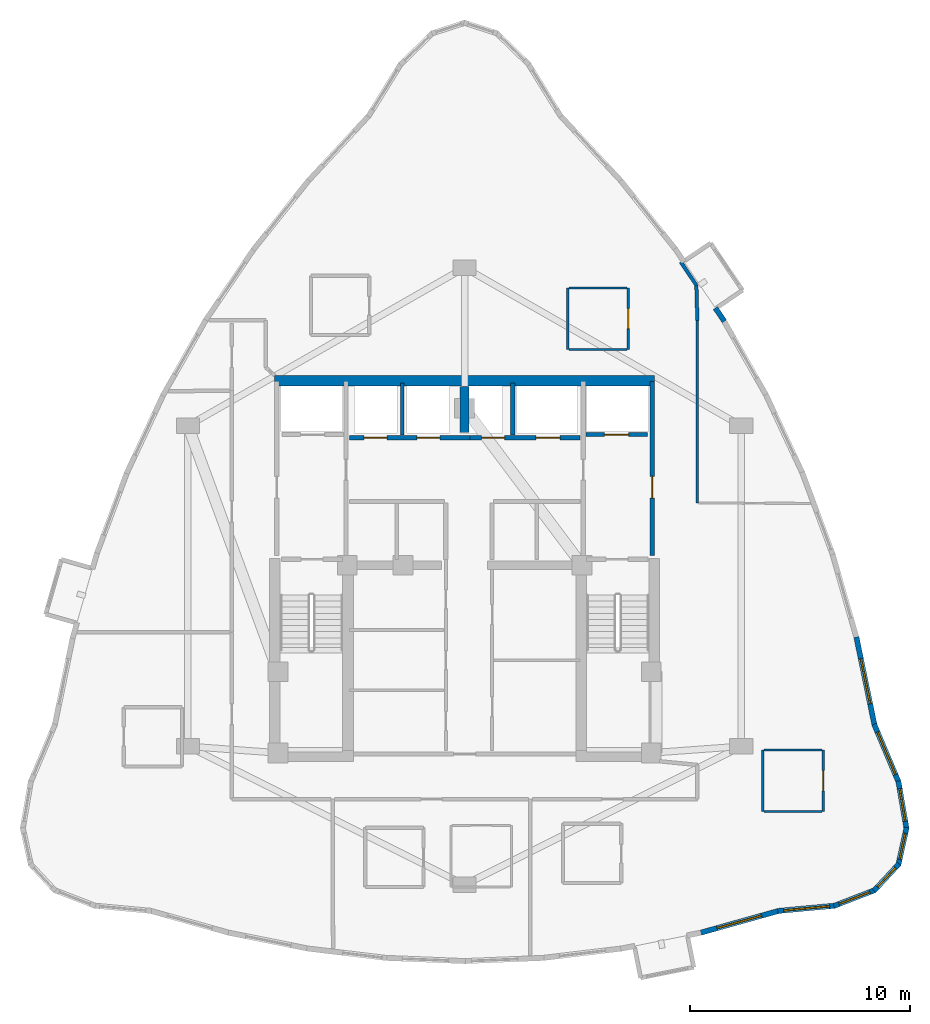
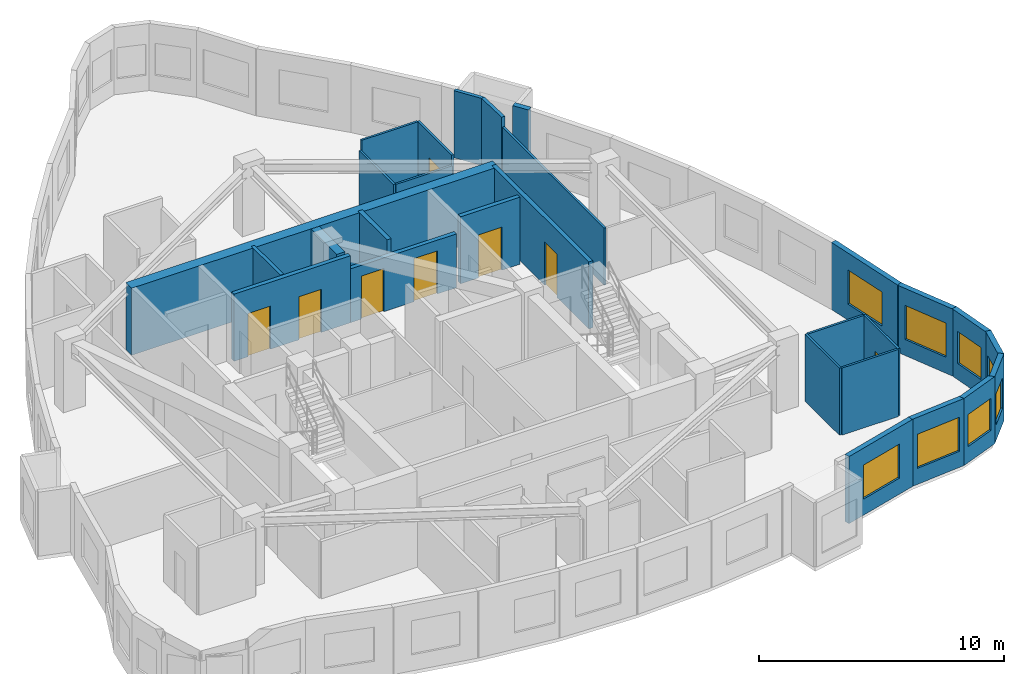
# One storey, part 6 of 9: 28 walls, 8 doors, 8 windows, 16 openings.
"""IFC4 building model written with IfcOpenShell, lengths in metres."""

from ifc_helpers import new_model, si_unit, direction, frame, frame_2d, origin, place, context, subcontext, project, spatial, rectangle, extrude, material, layer, layer_set, type_object, element, fill, save


model = new_model("IFC4")

# Units and contexts
model_context = context("Model", 3, precision=1e-05, world=origin(), true_north=direction((0.0, 1.0)))
body_context = subcontext(model_context, "Body", "Model", "MODEL_VIEW")
ifc_project = project(units=[si_unit("LENGTHUNIT", "METRE"), si_unit("AREAUNIT", "SQUARE_METRE"), si_unit("VOLUMEUNIT", "CUBIC_METRE"), si_unit("PLANEANGLEUNIT", "RADIAN"), si_unit("MASSUNIT", "GRAM", prefix="KILO")], contexts=[model_context])

# Site, building, storey
site_placement = place(None, origin())
site = spatial("IfcSite", under=ifc_project, at=site_placement, CompositionType="ELEMENT")
building_placement = place(site_placement, origin())
building = spatial("IfcBuilding", under=site, at=building_placement, Name="Miruveldt Soraemaru", CompositionType="ELEMENT")
storey_placement = place(building_placement, frame((0.0, 0.0, 194.39990234375)))
storey = spatial("IfcBuildingStorey", under=building, at=storey_placement, Name="L53", CompositionType="ELEMENT", Elevation=194.39990234375)

# Walls
ifc_material_1 = material(Name="Concrete C70/85 (70 MPa)", Category="concrete")
ifc_layer_1 = layer(ifc_material_1, 0.5, Name="Concrete C70/85 (70 MPa)", Category="concrete")
ifc_layer_set_1 = layer_set([ifc_layer_1], Name="Concrete C70/85 (70 MPa)")
wall_type_1 = type_object("IfcWallType", Name="WALL-BW-500", PredefinedType="SHEAR", material=ifc_layer_set_1)
wall_1_placement = place(storey_placement, frame((44.0, 50.10009765625, 0.0), z_axis=(0.0, 0.0, 1.0), x_axis=(0.0, 1.0, 0.0)))
element("IfcWall", 1, at=wall_1_placement, inside=storey, type_object=wall_type_1, Name="L53 Core Buttress Shear Wall BN", PredefinedType="SHEAR", context=body_context, shape_type="SweptSolid", body=[
    extrude(rectangle(XDim=2.099853515625, YDim=0.39990234375, at=frame_2d((1.0498046875, 0.0))), origin(), (0.0, 0.0, 1.0), 3.34521484375),
])
ifc_material_2 = material(Name="Concrete C60/75 (60 MPa)", Category="concrete")
ifc_layer_2 = layer(ifc_material_2, 0.47998046875, Name="Concrete C60/75 (60 MPa)", Category="concrete")
ifc_layer_set_2 = layer_set([ifc_layer_2], Name="Concrete C60/75 (60 MPa)")
wall_type_2 = type_object("IfcWallType", Name="WALL-CW-480", PredefinedType="SHEAR", material=ifc_layer_set_2)
wall_2_placement = place(storey_placement, frame((35.35009765625, 52.449951171875, 0.0), z_axis=(0.0, 0.0, 1.0), x_axis=(1.0, 0.0, 0.0)))
element("IfcWall", 2, at=wall_2_placement, inside=storey, type_object=wall_type_2, Name="L53 Central Core Shear Wall N", PredefinedType="SHEAR", context=body_context, shape_type="SweptSolid", body=[
    extrude(rectangle(XDim=17.2998046875, YDim=0.47998046875, at=frame_2d((8.64990234375, 0.0))), origin(), (0.0, 0.0, 1.0), 3.34521484375),
])

# Wall, opening, window
ifc_material_3 = material(Name="Precast concrete C45/55 (45 MPa)", Category="concrete")
ifc_layer_3 = layer(ifc_material_3, 0.239990234375, Name="Precast concrete C45/55 (45 MPa)", Category="concrete")
ifc_layer_set_3 = layer_set([ifc_layer_3], Name="Precast concrete C45/55 (45 MPa)")
wall_type_3 = type_object("IfcWallType", Name="WALL-EXT-PC240", PredefinedType="SOLIDWALL", material=ifc_layer_set_3)
wall_3_placement = place(storey_placement, frame((54.69189453125, 27.29345703125, 0.0), z_axis=(0.0, 0.0, 1.0), x_axis=(0.962962008879, 0.26963710697, 0.0)))
wall_3 = element("IfcWall", 3, at=wall_3_placement, inside=storey, type_object=wall_type_3, Name="L53 Precast Concrete Facade Wall 28", PredefinedType="SOLIDWALL", context=body_context, shape_type="SweptSolid", body=[
    extrude(rectangle(XDim=3.782958984375, YDim=0.239990234375, at=frame_2d((1.8916015625, 0.0))), origin(), (0.0, 0.0, 1.0), 3.34521484375),
])
opening_1_placement = place(wall_3_placement, frame((0.842041015625, 0.0, 0.800048828125)))
opening_1 = element("IfcOpeningElement", 4, at=opening_1_placement, cuts=wall_3, Name="Opening WN-1", PredefinedType="OPENING", context=body_context, shape_type="SweptSolid", body=[
    extrude(rectangle(XDim=2.10009765625, YDim=1.699951171875, at=frame_2d((1.050048828125, 0.85009765625))), frame((0.0, 0.1298828125, 0.0), z_axis=(0.0, -1.0, 0.0), x_axis=(1.0, 0.0, 0.0)), (0.0, 0.0, 1.0), 0.260009765625),
])
ifc_material_4 = material(Name="Triple low-e insulated glazing", Category="glass")
window_type_1 = type_object("IfcWindowType", Name="WIN-PUNCH-2100x1700", PartitioningType="SINGLE_PANEL", PredefinedType="WINDOW", material=ifc_material_4)
window_1_placement = place(opening_1_placement, origin())
window_1 = element("IfcWindow", 5, at=window_1_placement, inside=storey, type_object=window_type_1, Name="L53 Punched Triple-Glazed Window 28.1", OverallHeight=1.699951171875, OverallWidth=2.10009765625, PartitioningType="SINGLE_PANEL", PredefinedType="WINDOW", context=body_context, shape_type="SweptSolid", body=[
    extrude(rectangle(XDim=2.10009765625, YDim=1.699951171875, at=frame_2d((1.050048828125, 0.85009765625))), frame((0.0, 0.030029296875, 0.0), z_axis=(0.0, -1.0, 0.0), x_axis=(1.0, 0.0, 0.0)), (0.0, 0.0, 1.0), 0.06005859375),
])
fill(opening_1, window_1)

wall_4_placement = place(storey_placement, frame((58.26611328125, 28.30078125, 0.0), z_axis=(0.0, 0.0, 1.0), x_axis=(0.995763539578, 0.091950928475, 0.0)))
wall_4 = element("IfcWall", 6, at=wall_4_placement, inside=storey, type_object=wall_type_3, Name="L53 Precast Concrete Facade Wall 29", PredefinedType="SOLIDWALL", context=body_context, shape_type="SweptSolid", body=[
    extrude(rectangle(XDim=2.628662109375, YDim=0.239990234375, at=frame_2d((1.314453125, 0.0))), origin(), (0.0, 0.0, 1.0), 3.34521484375),
])
opening_2_placement = place(wall_4_placement, frame((0.263916015625, 0.0, 0.800048828125)))
opening_2 = element("IfcOpeningElement", 7, at=opening_2_placement, cuts=wall_4, Name="Opening WN-1", PredefinedType="OPENING", context=body_context, shape_type="SweptSolid", body=[
    extrude(rectangle(XDim=2.10009765625, YDim=1.699951171875, at=frame_2d((1.050048828125, 0.85009765625))), frame((0.0, 0.1298828125, 0.0), z_axis=(0.0, -1.0, 0.0), x_axis=(1.0, 0.0, 0.0)), (0.0, 0.0, 1.0), 0.260009765625),
])
window_2_placement = place(opening_2_placement, origin())
window_2 = element("IfcWindow", 8, at=window_2_placement, inside=storey, type_object=window_type_1, Name="L53 Punched Triple-Glazed Window 29.1", OverallHeight=1.699951171875, OverallWidth=2.10009765625, PartitioningType="SINGLE_PANEL", PredefinedType="WINDOW", context=body_context, shape_type="SweptSolid", body=[
    extrude(rectangle(XDim=2.10009765625, YDim=1.699951171875, at=frame_2d((1.050048828125, 0.85009765625))), frame((0.0, 0.030029296875, 0.0), z_axis=(0.0, -1.0, 0.0), x_axis=(1.0, 0.0, 0.0)), (0.0, 0.0, 1.0), 0.06005859375),
])
fill(opening_2, window_2)

wall_5_placement = place(storey_placement, frame((60.816162109375, 28.526611328125, 0.0), z_axis=(0.0, 0.0, 1.0), x_axis=(0.932274067203, 0.361752765878, 0.0)))
wall_5 = element("IfcWall", 9, at=wall_5_placement, inside=storey, type_object=wall_type_3, Name="L53 Precast Concrete Facade Wall 30", PredefinedType="SOLIDWALL", context=body_context, shape_type="SweptSolid", body=[
    extrude(rectangle(XDim=2.02197265625, YDim=0.239990234375, at=frame_2d((1.010986328125, 0.0))), origin(), (0.0, 0.0, 1.0), 3.34521484375),
])
opening_3_placement = place(wall_5_placement, frame((0.260986328125, 0.0, 0.800048828125)))
opening_3 = element("IfcOpeningElement", 10, at=opening_3_placement, cuts=wall_5, Name="Opening WN-3", PredefinedType="OPENING", context=body_context, shape_type="SweptSolid", body=[
    extrude(rectangle(XDim=1.5, YDim=1.60009765625, at=frame_2d((0.75, 0.800048828125))), frame((0.0, 0.1298828125, 0.0), z_axis=(0.0, -1.0, 0.0), x_axis=(1.0, 0.0, 0.0)), (0.0, 0.0, 1.0), 0.260009765625),
])
window_type_2 = type_object("IfcWindowType", Name="WIN-PUNCH-1500x1600", PartitioningType="SINGLE_PANEL", PredefinedType="WINDOW", material=ifc_material_4)
window_3_placement = place(opening_3_placement, origin())
window_3 = element("IfcWindow", 11, at=window_3_placement, inside=storey, type_object=window_type_2, Name="L53 Punched Triple-Glazed Window 30.1", OverallHeight=1.60009765625, OverallWidth=1.5, PartitioningType="SINGLE_PANEL", PredefinedType="WINDOW", context=body_context, shape_type="SweptSolid", body=[
    extrude(rectangle(XDim=1.5, YDim=1.60009765625, at=frame_2d((0.75, 0.800048828125))), frame((0.0, 0.030029296875, 0.0), z_axis=(0.0, -1.0, 0.0), x_axis=(1.0, 0.0, 0.0)), (0.0, 0.0, 1.0), 0.06005859375),
])
fill(opening_3, window_3)

wall_6_placement = place(storey_placement, frame((62.644775390625, 29.2197265625, 0.0), z_axis=(0.0, 0.0, 1.0), x_axis=(0.680087707161, 0.73313075953, 0.0)))
wall_6 = element("IfcWall", 12, at=wall_6_placement, inside=storey, type_object=wall_type_3, Name="L53 Precast Concrete Facade Wall 31", PredefinedType="SOLIDWALL", context=body_context, shape_type="SweptSolid", body=[
    extrude(rectangle(XDim=1.67529296875, YDim=0.239990234375, at=frame_2d((0.837646484375, 0.0))), origin(), (0.0, 0.0, 1.0), 3.34521484375),
])
opening_4_placement = place(wall_6_placement, frame((0.238037109375, 0.0, 0.780029296875)))
opening_4 = element("IfcOpeningElement", 13, at=opening_4_placement, cuts=wall_6, Name="Opening WN-4", PredefinedType="OPENING", context=body_context, shape_type="SweptSolid", body=[
    extrude(rectangle(XDim=1.199951171875, YDim=1.550048828125, at=frame_2d((0.60009765625, 0.77490234375))), frame((0.0, 0.1298828125, 0.0), z_axis=(0.0, -1.0, 0.0), x_axis=(1.0, 0.0, 0.0)), (0.0, 0.0, 1.0), 0.260009765625),
])
window_type_3 = type_object("IfcWindowType", Name="WIN-PUNCH-1200x1550", PartitioningType="SINGLE_PANEL", PredefinedType="WINDOW", material=ifc_material_4)
window_4_placement = place(opening_4_placement, origin())
window_4 = element("IfcWindow", 14, at=window_4_placement, inside=storey, type_object=window_type_3, Name="L53 Punched Triple-Glazed Window 31.1", OverallHeight=1.550048828125, OverallWidth=1.199951171875, PartitioningType="SINGLE_PANEL", PredefinedType="WINDOW", context=body_context, shape_type="SweptSolid", body=[
    extrude(rectangle(XDim=1.199951171875, YDim=1.550048828125, at=frame_2d((0.60009765625, 0.77490234375))), frame((0.0, 0.030029296875, 0.0), z_axis=(0.0, -1.0, 0.0), x_axis=(1.0, 0.0, 0.0)), (0.0, 0.0, 1.0), 0.06005859375),
])
fill(opening_4, window_4)

wall_7_placement = place(storey_placement, frame((63.7529296875, 30.387939453125, 0.0), z_axis=(0.0, 0.0, 1.0), x_axis=(0.215738874415, 0.976451093535, 0.0)))
wall_7 = element("IfcWall", 15, at=wall_7_placement, inside=storey, type_object=wall_type_3, Name="L53 Precast Concrete Facade Wall 32", PredefinedType="SOLIDWALL", context=body_context, shape_type="SweptSolid", body=[
    extrude(rectangle(XDim=1.757568359375, YDim=0.239990234375, at=frame_2d((0.87890625, 0.0))), origin(), (0.0, 0.0, 1.0), 3.34521484375),
])
opening_5_placement = place(wall_7_placement, frame((0.278076171875, 0.0, 0.780029296875)))
opening_5 = element("IfcOpeningElement", 16, at=opening_5_placement, cuts=wall_7, Name="Opening WN-4", PredefinedType="OPENING", context=body_context, shape_type="SweptSolid", body=[
    extrude(rectangle(XDim=1.199951171875, YDim=1.550048828125, at=frame_2d((0.60009765625, 0.77490234375))), frame((0.0, 0.1298828125, 0.0), z_axis=(0.0, -1.0, 0.0), x_axis=(1.0, 0.0, 0.0)), (0.0, 0.0, 1.0), 0.260009765625),
])
window_5_placement = place(opening_5_placement, origin())
window_5 = element("IfcWindow", 17, at=window_5_placement, inside=storey, type_object=window_type_3, Name="L53 Punched Triple-Glazed Window 32.1", OverallHeight=1.550048828125, OverallWidth=1.199951171875, PartitioningType="SINGLE_PANEL", PredefinedType="WINDOW", context=body_context, shape_type="SweptSolid", body=[
    extrude(rectangle(XDim=1.199951171875, YDim=1.550048828125, at=frame_2d((0.60009765625, 0.77490234375))), frame((0.0, 0.030029296875, 0.0), z_axis=(0.0, -1.0, 0.0), x_axis=(1.0, 0.0, 0.0)), (0.0, 0.0, 1.0), 0.06005859375),
])
fill(opening_5, window_5)

wall_8_placement = place(storey_placement, frame((64.13037109375, 32.03515625, 0.0), z_axis=(0.0, 0.0, 1.0), x_axis=(-0.169302728302, 0.985564095424, 0.0)))
wall_8 = element("IfcWall", 18, at=wall_8_placement, inside=storey, type_object=wall_type_3, Name="L53 Precast Concrete Facade Wall 33", PredefinedType="SOLIDWALL", context=body_context, shape_type="SweptSolid", body=[
    extrude(rectangle(XDim=2.21923828125, YDim=0.239990234375, at=frame_2d((1.109619140625, 0.0))), origin(), (0.0, 0.0, 1.0), 3.34521484375),
])
opening_6_placement = place(wall_8_placement, frame((0.360107421875, 0.0, 0.800048828125)))
opening_6 = element("IfcOpeningElement", 19, at=opening_6_placement, cuts=wall_8, Name="Opening WN-3", PredefinedType="OPENING", context=body_context, shape_type="SweptSolid", body=[
    extrude(rectangle(XDim=1.5, YDim=1.60009765625, at=frame_2d((0.75, 0.800048828125))), frame((0.0, 0.1298828125, 0.0), z_axis=(0.0, -1.0, 0.0), x_axis=(1.0, 0.0, 0.0)), (0.0, 0.0, 1.0), 0.260009765625),
])
window_6_placement = place(opening_6_placement, origin())
window_6 = element("IfcWindow", 20, at=window_6_placement, inside=storey, type_object=window_type_2, Name="L53 Punched Triple-Glazed Window 33.1", OverallHeight=1.60009765625, OverallWidth=1.5, PartitioningType="SINGLE_PANEL", PredefinedType="WINDOW", context=body_context, shape_type="SweptSolid", body=[
    extrude(rectangle(XDim=1.5, YDim=1.60009765625, at=frame_2d((0.75, 0.800048828125))), frame((0.0, 0.030029296875, 0.0), z_axis=(0.0, -1.0, 0.0), x_axis=(1.0, 0.0, 0.0)), (0.0, 0.0, 1.0), 0.06005859375),
])
fill(opening_6, window_6)

wall_9_placement = place(storey_placement, frame((63.774169921875, 34.15576171875, 0.0), z_axis=(0.0, 0.0, 1.0), x_axis=(-0.388633031519, 0.921392623593, 0.0)))
wall_9 = element("IfcWall", 21, at=wall_9_placement, inside=storey, type_object=wall_type_3, Name="L53 Precast Concrete Facade Wall 34", PredefinedType="SOLIDWALL", context=body_context, shape_type="SweptSolid", body=[
    extrude(rectangle(XDim=2.879638671875, YDim=0.239990234375, at=frame_2d((1.43994140625, 0.0))), origin(), (0.0, 0.0, 1.0), 3.34521484375),
])
opening_7_placement = place(wall_9_placement, frame((0.389892578125, 0.0, 0.800048828125)))
opening_7 = element("IfcOpeningElement", 22, at=opening_7_placement, cuts=wall_9, Name="Opening WN-1", PredefinedType="OPENING", context=body_context, shape_type="SweptSolid", body=[
    extrude(rectangle(XDim=2.10009765625, YDim=1.699951171875, at=frame_2d((1.050048828125, 0.85009765625))), frame((0.0, 0.1298828125, 0.0), z_axis=(0.0, -1.0, 0.0), x_axis=(1.0, 0.0, 0.0)), (0.0, 0.0, 1.0), 0.260009765625),
])
window_7_placement = place(opening_7_placement, origin())
window_7 = element("IfcWindow", 23, at=window_7_placement, inside=storey, type_object=window_type_1, Name="L53 Punched Triple-Glazed Window 34.1", OverallHeight=1.699951171875, OverallWidth=2.10009765625, PartitioningType="SINGLE_PANEL", PredefinedType="WINDOW", context=body_context, shape_type="SweptSolid", body=[
    extrude(rectangle(XDim=2.10009765625, YDim=1.699951171875, at=frame_2d((1.050048828125, 0.85009765625))), frame((0.0, 0.030029296875, 0.0), z_axis=(0.0, -1.0, 0.0), x_axis=(1.0, 0.0, 0.0)), (0.0, 0.0, 1.0), 0.06005859375),
])
fill(opening_7, window_7)

wall_10_placement = place(storey_placement, frame((62.67578125, 36.742431640625, 0.0), z_axis=(0.0, 0.0, 1.0), x_axis=(-0.201569354934, 0.979474244251, 0.0)))
wall_10 = element("IfcWall", 24, at=wall_10_placement, inside=storey, type_object=wall_type_3, Name="L53 Precast Concrete Facade Wall 35", PredefinedType="SOLIDWALL", context=body_context, shape_type="SweptSolid", body=[
    extrude(rectangle(XDim=4.121826171875, YDim=0.239990234375, at=frame_2d((2.06103515625, 0.0))), origin(), (0.0, 0.0, 1.0), 3.34521484375),
])
opening_8_placement = place(wall_10_placement, frame((1.010986328125, 0.0, 0.800048828125)))
opening_8 = element("IfcOpeningElement", 25, at=opening_8_placement, cuts=wall_10, Name="Opening WN-1", PredefinedType="OPENING", context=body_context, shape_type="SweptSolid", body=[
    extrude(rectangle(XDim=2.10009765625, YDim=1.699951171875, at=frame_2d((1.050048828125, 0.85009765625))), frame((0.0, 0.1298828125, 0.0), z_axis=(0.0, -1.0, 0.0), x_axis=(1.0, 0.0, 0.0)), (0.0, 0.0, 1.0), 0.260009765625),
])
window_8_placement = place(opening_8_placement, origin())
window_8 = element("IfcWindow", 26, at=window_8_placement, inside=storey, type_object=window_type_1, Name="L53 Punched Triple-Glazed Window 35.1", OverallHeight=1.699951171875, OverallWidth=2.10009765625, PartitioningType="SINGLE_PANEL", PredefinedType="WINDOW", context=body_context, shape_type="SweptSolid", body=[
    extrude(rectangle(XDim=2.10009765625, YDim=1.699951171875, at=frame_2d((1.050048828125, 0.85009765625))), frame((0.0, 0.030029296875, 0.0), z_axis=(0.0, -1.0, 0.0), x_axis=(1.0, 0.0, 0.0)), (0.0, 0.0, 1.0), 0.06005859375),
])
fill(opening_8, window_8)

# Wall
wall_11_placement = place(storey_placement, frame((55.830810546875, 55.159423828125, 0.0), z_axis=(0.0, 0.0, 1.0), x_axis=(-0.560862943877, 0.827908665365, 0.0)))
element("IfcWall", 27, at=wall_11_placement, inside=storey, type_object=wall_type_3, Name="L53 Precast Pier Wall 40A", PredefinedType="SOLIDWALL", context=body_context, shape_type="SweptSolid", body=[
    extrude(rectangle(XDim=0.7294921875, YDim=0.239990234375, at=frame_2d((0.36474609375, 0.0))), origin(), (0.0, 0.0, 1.0), 3.34521484375),
])

# Wall, opening, door
ifc_material_5 = material(Name="Gypsum plasterboard lining", Category="gypsum")
ifc_layer_4 = layer(ifc_material_5, 0.10009765625, Name="Gypsum plasterboard lining", Category="gypsum")
ifc_layer_set_4 = layer_set([ifc_layer_4], Name="Gypsum plasterboard lining")
wall_type_4 = type_object("IfcWallType", Name="WALL-INT-P100", PredefinedType="PARTITIONING", material=ifc_layer_set_4)
wall_12_placement = place(storey_placement, frame((51.451904296875, 53.8798828125, 0.0), z_axis=(0.0, 0.0, 1.0), x_axis=(0.0, 1.0, 0.0)))
wall_12 = element("IfcWall", 28, at=wall_12_placement, inside=storey, type_object=wall_type_4, Name="L53 Partition Wall 15", PredefinedType="PARTITIONING", context=body_context, shape_type="SweptSolid", body=[
    extrude(rectangle(XDim=2.800048828125, YDim=0.10009765625, at=frame_2d((1.39990234375, 0.0))), origin(), (0.0, 0.0, 1.0), 3.34521484375),
])
opening_9_placement = place(wall_12_placement, frame((0.93994140625, 0.0, 0.0)))
opening_9 = element("IfcOpeningElement", 29, at=opening_9_placement, cuts=wall_12, Name="Opening D3A", PredefinedType="OPENING", context=body_context, shape_type="SweptSolid", body=[
    extrude(rectangle(XDim=0.919921875, YDim=2.10009765625, at=frame_2d((0.4599609375, 1.050048828125))), frame((0.0, 0.06005859375, 0.0), z_axis=(0.0, -1.0, 0.0), x_axis=(1.0, 0.0, 0.0)), (0.0, 0.0, 1.0), 0.1201171875),
])
ifc_material_6 = material(Name="Anodised aluminium EN AW-6063 T6", Category="aluminium")
door_type_1 = type_object("IfcDoorType", Name="DOOR-INT-920", OperationType="NOTDEFINED", PredefinedType="DOOR", material=ifc_material_6)
door_1_placement = place(opening_9_placement, origin())
door_1 = element("IfcDoor", 30, at=door_1_placement, inside=storey, type_object=door_type_1, Name="L53 Unit CL01 KIT Door", OperationType="SINGLE_SWING_RIGHT", OverallHeight=2.10009765625, OverallWidth=0.919921875, PredefinedType="DOOR", context=body_context, shape_type="SweptSolid", body=[
    extrude(rectangle(XDim=0.919921875, YDim=2.10009765625, at=frame_2d((0.4599609375, 1.050048828125))), frame((0.0, 0.02490234375, 0.0), z_axis=(0.0, -1.0, 0.0), x_axis=(1.0, 0.0, 0.0)), (0.0, 0.0, 1.0), 0.050048828125),
])
fill(opening_9, door_1)

wall_13_placement = place(storey_placement, frame((60.330078125, 32.8291015625, 0.0), z_axis=(0.0, 0.0, 1.0), x_axis=(0.0, 1.0, 0.0)))
wall_13 = element("IfcWall", 31, at=wall_13_placement, inside=storey, type_object=wall_type_4, Name="L53 Partition Wall 40", PredefinedType="PARTITIONING", context=body_context, shape_type="SweptSolid", body=[
    extrude(rectangle(XDim=2.7998046875, YDim=0.10009765625, at=frame_2d((1.39990234375, 0.0))), origin(), (0.0, 0.0, 1.0), 3.34521484375),
])
opening_10_placement = place(wall_13_placement, frame((0.93994140625, 0.0, 0.0)))
opening_10 = element("IfcOpeningElement", 32, at=opening_10_placement, cuts=wall_13, Name="Opening D3A", PredefinedType="OPENING", context=body_context, shape_type="SweptSolid", body=[
    extrude(rectangle(XDim=0.919921875, YDim=2.10009765625, at=frame_2d((0.4599609375, 1.050048828125))), frame((0.0, 0.06005859375, 0.0), z_axis=(0.0, -1.0, 0.0), x_axis=(1.0, 0.0, 0.0)), (0.0, 0.0, 1.0), 0.1201171875),
])
door_2_placement = place(opening_10_placement, origin())
door_2 = element("IfcDoor", 33, at=door_2_placement, inside=storey, type_object=door_type_1, Name="L53 Unit 5306 KIT Door", OperationType="SINGLE_SWING_LEFT", OverallHeight=2.10009765625, OverallWidth=0.919921875, PredefinedType="DOOR", context=body_context, shape_type="SweptSolid", body=[
    extrude(rectangle(XDim=0.919921875, YDim=2.10009765625, at=frame_2d((0.4599609375, 1.050048828125))), frame((0.0, 0.02490234375, 0.0), z_axis=(0.0, -1.0, 0.0), x_axis=(1.0, 0.0, 0.0)), (0.0, 0.0, 1.0), 0.050048828125),
])
fill(opening_10, door_2)

# Walls
wall_14_placement = place(storey_placement, frame((54.60009765625, 46.883056640625, 0.0), z_axis=(0.0, 0.0, 1.0), x_axis=(0.0, 1.0, 0.0)))
element("IfcWall", 34, at=wall_14_placement, inside=storey, type_object=wall_type_4, Name="L53 Partition Wall 45", PredefinedType="PARTITIONING", context=body_context, shape_type="SweptSolid", body=[
    extrude(rectangle(XDim=8.31689453125, YDim=0.10009765625, at=frame_2d((4.158447265625, 0.0))), origin(), (0.0, 0.0, 1.0), 2.84521484375),
])
wall_15_placement = place(storey_placement, frame((48.701904296875, 56.679931640625, 0.0), z_axis=(0.0, 0.0, 1.0), x_axis=(0.0, -1.0, 0.0)))
element("IfcWall", 35, at=wall_15_placement, inside=storey, type_object=wall_type_4, Name="L53 Partition Wall 17", PredefinedType="PARTITIONING", context=body_context, shape_type="SweptSolid", body=[
    extrude(rectangle(XDim=2.800048828125, YDim=0.10009765625, at=frame_2d((1.39990234375, 0.0))), origin(), (0.0, 0.0, 1.0), 2.84521484375),
])
wall_16_placement = place(storey_placement, frame((57.580078125, 35.62890625, 0.0), z_axis=(0.0, 0.0, 1.0), x_axis=(0.0, -1.0, 0.0)))
element("IfcWall", 36, at=wall_16_placement, inside=storey, type_object=wall_type_4, Name="L53 Partition Wall 42", PredefinedType="PARTITIONING", context=body_context, shape_type="SweptSolid", body=[
    extrude(rectangle(XDim=2.7998046875, YDim=0.10009765625, at=frame_2d((1.39990234375, 0.0))), origin(), (0.0, 0.0, 1.0), 3.34521484375),
])
wall_17_placement = place(storey_placement, frame((51.402099609375, 56.679931640625, 0.0), z_axis=(0.0, 0.0, 1.0), x_axis=(-1.0, 0.0, 0.0)))
element("IfcWall", 37, at=wall_17_placement, inside=storey, type_object=wall_type_4, Name="L53 Partition Wall 16", PredefinedType="PARTITIONING", context=body_context, shape_type="SweptSolid", body=[
    extrude(rectangle(XDim=2.650146484375, YDim=0.10009765625, at=frame_2d((1.3251953125, 0.0))), origin(), (0.0, 0.0, 1.0), 3.34521484375),
])
wall_18_placement = place(storey_placement, frame((48.751953125, 53.8798828125, 0.0), z_axis=(0.0, 0.0, 1.0), x_axis=(1.0, 0.0, 0.0)))
element("IfcWall", 38, at=wall_18_placement, inside=storey, type_object=wall_type_4, Name="L53 Partition Wall 18", PredefinedType="PARTITIONING", context=body_context, shape_type="SweptSolid", body=[
    extrude(rectangle(XDim=2.650146484375, YDim=0.10009765625, at=frame_2d((1.3251953125, 0.0))), origin(), (0.0, 0.0, 1.0), 2.84521484375),
])
for number, where, z_axis, x_axis, name in (
    (39, (60.280029296875, 35.62890625, 0.0), (0.0, 0.0, 1.0), (-1.0, 0.0, 0.0), "L53 Partition Wall 41"),
    (40, (57.6298828125, 32.8291015625, 0.0), (0.0, 0.0, 1.0), (1.0, 0.0, 0.0), "L53 Partition Wall 43"),
):
    element("IfcWall", number, at=place(storey_placement, frame(where, z_axis=z_axis, x_axis=x_axis)), inside=storey, type_object=wall_type_4, Name=name, PredefinedType="PARTITIONING", context=body_context, shape_type="SweptSolid", body=[
        extrude(rectangle(XDim=2.650146484375, YDim=0.10009765625, at=frame_2d((1.3251953125, 0.0))), origin(), (0.0, 0.0, 1.0), 3.34521484375),
    ])
ifc_material_7 = material(Name="Concrete C40/50 (40 MPa)", Category="concrete")
ifc_layer_5 = layer(ifc_material_7, 0.159912109375, Name="Concrete C40/50 (40 MPa)", Category="concrete")
ifc_layer_set_5 = layer_set([ifc_layer_5], Name="Concrete C40/50 (40 MPa)")
wall_type_5 = type_object("IfcWallType", Name="WALL-INT-RC160", PredefinedType="SOLIDWALL", material=ifc_layer_set_5)
wall_19_placement = place(storey_placement, frame((41.14990234375, 49.97998046875, 0.0), z_axis=(0.0, 0.0, 1.0), x_axis=(0.0, 1.0, 0.0)))
element("IfcWall", 41, at=wall_19_placement, inside=storey, type_object=wall_type_5, Name="L53 Core Compartment Wall PLH-DIV1", PredefinedType="SOLIDWALL", context=body_context, shape_type="SweptSolid", body=[
    extrude(rectangle(XDim=2.3701171875, YDim=0.159912109375, at=frame_2d((1.18505859375, 0.0))), origin(), (0.0, 0.0, 1.0), 3.34521484375),
])
wall_20_placement = place(storey_placement, frame((54.60009765625, 55.199951171875, 0.0), z_axis=(0.0, 0.0, 1.0), x_axis=(-0.027606197225, 0.99961887631, 0.0)))
element("IfcWall", 42, at=wall_20_placement, inside=storey, type_object=wall_type_5, Name="L53 Partition Wall 20", PredefinedType="SOLIDWALL", context=body_context, shape_type="SweptSolid", body=[
    extrude(rectangle(XDim=1.6005859375, YDim=0.159912109375, at=frame_2d((0.80029296875, 0.0))), origin(), (0.0, 0.0, 1.0), 3.34521484375),
])
wall_21_placement = place(storey_placement, frame((54.555908203125, 56.800048828125, 0.0), z_axis=(0.0, 0.0, 1.0), x_axis=(-0.55606787535, 0.831136882832, 0.0)))
element("IfcWall", 43, at=wall_21_placement, inside=storey, type_object=wall_type_5, Name="L53 Partition Closure Return 2", PredefinedType="SOLIDWALL", context=body_context, shape_type="SweptSolid", body=[
    extrude(rectangle(XDim=1.2763671875, YDim=0.159912109375, at=frame_2d((0.63818359375, 0.0))), origin(), (0.0, 0.0, 1.0), 3.34521484375),
])

# Wall, opening, door
ifc_layer_6 = layer(ifc_material_7, 0.199951171875, Name="Concrete C40/50 (40 MPa)", Category="concrete")
ifc_layer_set_6 = layer_set([ifc_layer_6], Name="Concrete C40/50 (40 MPa)")
wall_type_6 = type_object("IfcWallType", Name="WALL-INT-RC200", PredefinedType="SOLIDWALL", material=ifc_layer_set_6)
wall_22_placement = place(storey_placement, frame((52.550048828125, 44.5, 0.0), z_axis=(0.0, 0.0, 1.0), x_axis=(0.0, 1.0, 0.0)))
wall_22 = element("IfcWall", 44, at=wall_22_placement, inside=storey, type_object=wall_type_6, Name="L53 Core Compartment Wall FFE-OUT", PredefinedType="SOLIDWALL", context=body_context, shape_type="SweptSolid", body=[
    extrude(rectangle(XDim=7.919921875, YDim=0.199951171875, at=frame_2d((3.9599609375, 0.0))), origin(), (0.0, 0.0, 1.0), 3.34521484375),
])
opening_11_placement = place(wall_22_placement, frame((2.60009765625, 0.0, 0.0)))
opening_11 = element("IfcOpeningElement", 45, at=opening_11_placement, cuts=wall_22, Name="Opening FD1", PredefinedType="OPENING", context=body_context, shape_type="SweptSolid", body=[
    extrude(rectangle(XDim=1.0, YDim=2.14990234375, at=frame_2d((0.5, 1.074951171875))), frame((0.0, 0.10986328125, 0.0), z_axis=(0.0, -1.0, 0.0), x_axis=(1.0, 0.0, 0.0)), (0.0, 0.0, 1.0), 0.219970703125),
])
door_type_2 = type_object("IfcDoorType", Name="DOOR-FD1-1000", OperationType="NOTDEFINED", PredefinedType="DOOR", material=ifc_material_6)
door_3_placement = place(opening_11_placement, frame((1.0, 0.0, 0.0), z_axis=(0.0, 0.0, 1.0), x_axis=(-1.0, 0.0, 0.0)))
door_3 = element("IfcDoor", 46, at=door_3_placement, inside=storey, type_object=door_type_2, Name="L53 East Firefighting Lobby Exit Door", OperationType="SINGLE_SWING_RIGHT", OverallHeight=2.14990234375, OverallWidth=1.0, PredefinedType="DOOR", context=body_context, shape_type="SweptSolid", body=[
    extrude(rectangle(XDim=1.0, YDim=2.14990234375, at=frame_2d((0.5, 1.074951171875))), frame((0.0, 0.02490234375, 0.0), z_axis=(0.0, -1.0, 0.0), x_axis=(1.0, 0.0, 0.0)), (0.0, 0.0, 1.0), 0.050048828125),
])
fill(opening_11, door_3)

# Wall, openings, doors
wall_23_placement = place(storey_placement, frame((38.75, 49.85009765625, 0.0), z_axis=(0.0, 0.0, 1.0), x_axis=(1.0, 0.0, 0.0)))
wall_23 = element("IfcWall", 47, at=wall_23_placement, inside=storey, type_object=wall_type_6, Name="L53 Core Compartment Wall ROWA-SW", PredefinedType="SOLIDWALL", context=body_context, shape_type="SweptSolid", body=[
    extrude(rectangle(XDim=5.5, YDim=0.199951171875, at=frame_2d((2.75, 0.0))), origin(), (0.0, 0.0, 1.0), 3.34521484375),
])
opening_12_placement = place(wall_23_placement, frame((0.675048828125, 0.0, 0.0)))
opening_12 = element("IfcOpeningElement", 48, at=opening_12_placement, cuts=wall_23, Name="Opening LD1", PredefinedType="OPENING", context=body_context, shape_type="SweptSolid", body=[
    extrude(rectangle(XDim=1.050048828125, YDim=2.14990234375, at=frame_2d((0.52490234375, 1.074951171875))), frame((0.0, 0.10986328125, 0.0), z_axis=(0.0, -1.0, 0.0), x_axis=(1.0, 0.0, 0.0)), (0.0, 0.0, 1.0), 0.219970703125),
])
opening_13_placement = place(wall_23_placement, frame((3.074951171875, 0.0, 0.0)))
opening_13 = element("IfcOpeningElement", 49, at=opening_13_placement, cuts=wall_23, Name="Opening LD1", PredefinedType="OPENING", context=body_context, shape_type="SweptSolid", body=[
    extrude(rectangle(XDim=1.050048828125, YDim=2.14990234375, at=frame_2d((0.52490234375, 1.074951171875))), frame((0.0, 0.10986328125, 0.0), z_axis=(0.0, -1.0, 0.0), x_axis=(1.0, 0.0, 0.0)), (0.0, 0.0, 1.0), 0.219970703125),
])
door_type_3 = type_object("IfcDoorType", Name="DOOR-LD1-1050", OperationType="SLIDING_TO_LEFT", PredefinedType="DOOR", material=ifc_material_6)
door_4_placement = place(opening_12_placement, origin())
door_4 = element("IfcDoor", 50, at=door_4_placement, inside=storey, type_object=door_type_3, Name="L53 PL-H1 Landing Door", OperationType="SLIDING_TO_LEFT", OverallHeight=2.14990234375, OverallWidth=1.050048828125, PredefinedType="DOOR", context=body_context, shape_type="SweptSolid", body=[
    extrude(rectangle(XDim=1.050048828125, YDim=2.14990234375, at=frame_2d((0.52490234375, 1.074951171875))), frame((0.0, 0.02490234375, 0.0), z_axis=(0.0, -1.0, 0.0), x_axis=(1.0, 0.0, 0.0)), (0.0, 0.0, 1.0), 0.050048828125),
])
fill(opening_12, door_4)
door_5_placement = place(opening_13_placement, origin())
door_5 = element("IfcDoor", 51, at=door_5_placement, inside=storey, type_object=door_type_3, Name="L53 PL-H2 Landing Door", OperationType="SLIDING_TO_LEFT", OverallHeight=2.14990234375, OverallWidth=1.050048828125, PredefinedType="DOOR", context=body_context, shape_type="SweptSolid", body=[
    extrude(rectangle(XDim=1.050048828125, YDim=2.14990234375, at=frame_2d((0.52490234375, 1.074951171875))), frame((0.0, 0.02490234375, 0.0), z_axis=(0.0, -1.0, 0.0), x_axis=(1.0, 0.0, 0.0)), (0.0, 0.0, 1.0), 0.050048828125),
])
fill(opening_13, door_5)

wall_24_placement = place(storey_placement, frame((44.25, 49.85009765625, 0.0), z_axis=(0.0, 0.0, 1.0), x_axis=(1.0, 0.0, 0.0)))
wall_24 = element("IfcWall", 52, at=wall_24_placement, inside=storey, type_object=wall_type_6, Name="L53 Core Compartment Wall ROWA-SE", PredefinedType="SOLIDWALL", context=body_context, shape_type="SweptSolid", body=[
    extrude(rectangle(XDim=5.0, YDim=0.199951171875, at=frame_2d((2.5, 0.0))), origin(), (0.0, 0.0, 1.0), 2.68310546875),
])
opening_14_placement = place(wall_24_placement, frame((0.52490234375, 0.0, 0.0)))
opening_14 = element("IfcOpeningElement", 53, at=opening_14_placement, cuts=wall_24, Name="Opening LD1", PredefinedType="OPENING", context=body_context, shape_type="SweptSolid", body=[
    extrude(rectangle(XDim=1.050048828125, YDim=2.14990234375, at=frame_2d((0.52490234375, 1.074951171875))), frame((0.0, 0.10986328125, 0.0), z_axis=(0.0, -1.0, 0.0), x_axis=(1.0, 0.0, 0.0)), (0.0, 0.0, 1.0), 0.219970703125),
])
opening_15_placement = place(wall_24_placement, frame((3.0, 0.0, 0.0)))
opening_15 = element("IfcOpeningElement", 54, at=opening_15_placement, cuts=wall_24, Name="Opening LD2", PredefinedType="OPENING", context=body_context, shape_type="SweptSolid", body=[
    extrude(rectangle(XDim=1.10009765625, YDim=2.14990234375, at=frame_2d((0.550048828125, 1.074951171875))), frame((0.0, 0.10986328125, 0.0), z_axis=(0.0, -1.0, 0.0), x_axis=(1.0, 0.0, 0.0)), (0.0, 0.0, 1.0), 0.219970703125),
])
door_6_placement = place(opening_14_placement, origin())
door_6 = element("IfcDoor", 55, at=door_6_placement, inside=storey, type_object=door_type_3, Name="L53 PL-H3 Landing Door", OperationType="SLIDING_TO_LEFT", OverallHeight=2.14990234375, OverallWidth=1.050048828125, PredefinedType="DOOR", context=body_context, shape_type="SweptSolid", body=[
    extrude(rectangle(XDim=1.050048828125, YDim=2.14990234375, at=frame_2d((0.52490234375, 1.074951171875))), frame((0.0, 0.02490234375, 0.0), z_axis=(0.0, -1.0, 0.0), x_axis=(1.0, 0.0, 0.0)), (0.0, 0.0, 1.0), 0.050048828125),
])
fill(opening_14, door_6)
door_type_4 = type_object("IfcDoorType", Name="DOOR-LD2-1100", OperationType="SLIDING_TO_LEFT", PredefinedType="DOOR", material=ifc_material_6)
door_7_placement = place(opening_15_placement, origin())
door_7 = element("IfcDoor", 56, at=door_7_placement, inside=storey, type_object=door_type_4, Name="L53 SL-1 Landing Door", OperationType="SLIDING_TO_LEFT", OverallHeight=2.14990234375, OverallWidth=1.10009765625, PredefinedType="DOOR", context=body_context, shape_type="SweptSolid", body=[
    extrude(rectangle(XDim=1.10009765625, YDim=2.14990234375, at=frame_2d((0.550048828125, 1.074951171875))), frame((0.0, 0.02490234375, 0.0), z_axis=(0.0, -1.0, 0.0), x_axis=(1.0, 0.0, 0.0)), (0.0, 0.0, 1.0), 0.050048828125),
])
fill(opening_15, door_7)

# Wall, opening, door
wall_25_placement = place(storey_placement, frame((49.52001953125, 50.0, 0.0), z_axis=(0.0, 0.0, 1.0), x_axis=(1.0, 0.0, 0.0)))
wall_25 = element("IfcWall", 57, at=wall_25_placement, inside=storey, type_object=wall_type_6, Name="L53 Core Compartment Wall FFL2-S", PredefinedType="SOLIDWALL", context=body_context, shape_type="SweptSolid", body=[
    extrude(rectangle(XDim=2.800048828125, YDim=0.199951171875, at=frame_2d((1.39990234375, 0.0))), origin(), (0.0, 0.0, 1.0), 3.34521484375),
])
opening_16_placement = place(wall_25_placement, frame((0.85009765625, 0.0, 0.0)))
opening_16 = element("IfcOpeningElement", 58, at=opening_16_placement, cuts=wall_25, Name="Opening LD2", PredefinedType="OPENING", context=body_context, shape_type="SweptSolid", body=[
    extrude(rectangle(XDim=1.10009765625, YDim=2.14990234375, at=frame_2d((0.550048828125, 1.074951171875))), frame((0.0, 0.10986328125, 0.0), z_axis=(0.0, -1.0, 0.0), x_axis=(1.0, 0.0, 0.0)), (0.0, 0.0, 1.0), 0.219970703125),
])
door_8_placement = place(opening_16_placement, origin())
door_8 = element("IfcDoor", 59, at=door_8_placement, inside=storey, type_object=door_type_4, Name="L53 FFL-2 Landing Door", OperationType="SLIDING_TO_LEFT", OverallHeight=2.14990234375, OverallWidth=1.10009765625, PredefinedType="DOOR", context=body_context, shape_type="SweptSolid", body=[
    extrude(rectangle(XDim=1.10009765625, YDim=2.14990234375, at=frame_2d((0.550048828125, 1.074951171875))), frame((0.0, 0.02490234375, 0.0), z_axis=(0.0, -1.0, 0.0), x_axis=(1.0, 0.0, 0.0)), (0.0, 0.0, 1.0), 0.050048828125),
])
fill(opening_16, door_8)

# Wall
wall_26_placement = place(storey_placement, frame((46.199951171875, 49.97998046875, 0.0), z_axis=(0.0, 0.0, 1.0), x_axis=(0.0, 1.0, 0.0)))
element("IfcWall", 60, at=wall_26_placement, inside=storey, type_object=wall_type_6, Name="L53 Core Compartment Wall PLH-SL-DIV", PredefinedType="SOLIDWALL", context=body_context, shape_type="SweptSolid", body=[
    extrude(rectangle(XDim=2.3701171875, YDim=0.199951171875, at=frame_2d((1.18505859375, 0.0))), origin(), (0.0, 0.0, 1.0), 3.34521484375),
])

save(model, "model.ifc")
